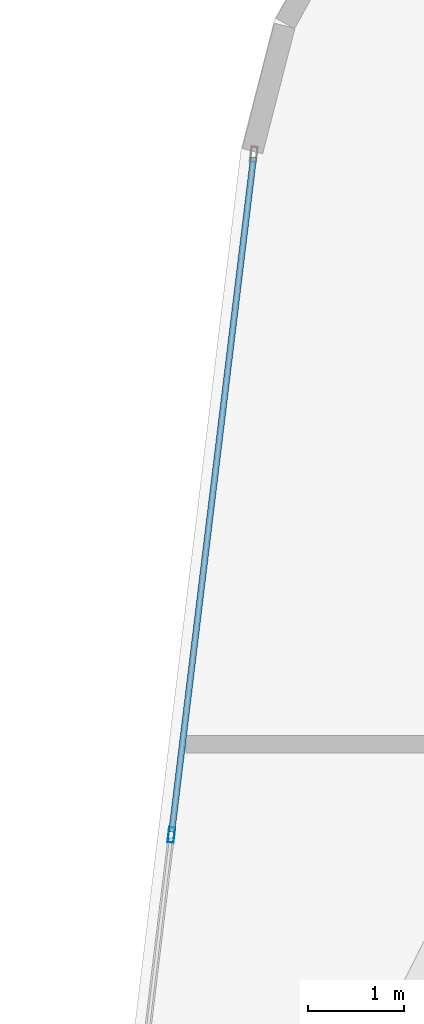
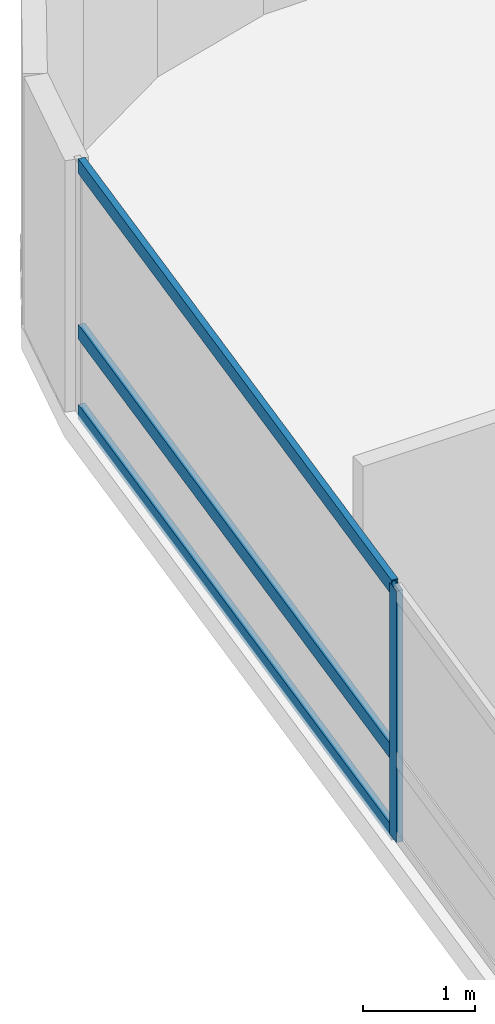
# One storey, part 10 of 26: 4 members, 1 element without a shape of its own.
"""IFC4 building model written with IfcOpenShell, lengths in metres."""

from ifc_helpers import new_model, si_unit, direction, frame, origin, origin_2d, place, context, subcontext, project, spatial, hollow_rectangle, extrude, material, layer, layer_set, material_profile, profile_set, type_object, element, aggregate, save


model = new_model("IFC4")

# Units and contexts
model_context = context("Model", 3, precision=1e-05, world=origin(), true_north=direction((0.0, 1.0)))
body_context = subcontext(model_context, "Body", "Model", "MODEL_VIEW")
ifc_project = project(units=[si_unit("LENGTHUNIT", "METRE"), si_unit("AREAUNIT", "SQUARE_METRE"), si_unit("VOLUMEUNIT", "CUBIC_METRE"), si_unit("PLANEANGLEUNIT", "RADIAN"), si_unit("MASSUNIT", "GRAM", prefix="KILO")], contexts=[model_context])

# Site, building, storey
site_placement = place(None, origin())
site = spatial("IfcSite", under=ifc_project, at=site_placement, CompositionType="ELEMENT")
building_placement = place(site_placement, origin())
building = spatial("IfcBuilding", under=site, at=building_placement, Name="Varnelok Gate Tower", CompositionType="ELEMENT")
storey_placement = place(building_placement, frame((0.0, 0.0, 121.699951171875)))
storey = spatial("IfcBuildingStorey", under=building, at=storey_placement, Name="L30", CompositionType="ELEMENT", Elevation=121.699951171875)

# Curtain wall, members
ifc_material = material(Name="Anodized Aluminum Alloy 6063-T6", Category="aluminium")
ifc_layer = layer(ifc_material, 0.179931640625)
ifc_layer_set = layer_set([ifc_layer], Name="Anodized Aluminum Alloy 6063-T6")
curtain_wall_type = type_object("IfcCurtainWallType", Name="CW3-HOTEL-VISION", PredefinedType="USERDEFINED", material=ifc_layer_set)
curtain_wall_placement = place(storey_placement, origin())
curtain_wall = element("IfcCurtainWall", 1, at=curtain_wall_placement, inside=storey, type_object=curtain_wall_type, Name="L30 West End Vision Curtain Wall", ObjectType="UNITISED CURTAIN WALL", PredefinedType="USERDEFINED")
ifc_material_profile_1 = material_profile(ifc_material, hollow_rectangle(XDim=0.06494140625, YDim=0.159912109375, WallThickness=0.00390625, at=origin_2d()), Name="ALU160X65X4")
ifc_profile_set_1 = profile_set([ifc_material_profile_1], Name="Anodized Aluminum Alloy 6063-T6")
member_type_1 = type_object("IfcMemberType", Name="CW-MULL-160", PredefinedType="MULLION", material=ifc_profile_set_1)
member_1_placement = place(storey_placement, frame((3.708984375, 40.4814453125, 0.0), z_axis=(0.0, 0.0, 1.0), x_axis=(-0.99273188146, 0.120347046212, 0.0)))
member_1 = element("IfcMember", 2, at=member_1_placement, type_object=member_type_1, Name="CW3 mullion 5", PredefinedType="MULLION", context=body_context, shape_type="SweptSolid", body=[
    extrude(hollow_rectangle(XDim=0.06494140625, YDim=0.159912109375, WallThickness=0.00390625, at=origin_2d()), origin(), (0.0, 0.0, 1.0), 2.72998046875),
])
ifc_material_profile_2 = material_profile(ifc_material, hollow_rectangle(XDim=0.06494140625, YDim=0.159912109375, WallThickness=0.00390625, at=origin_2d()), Name="ALU160X65X4")
ifc_profile_set_2 = profile_set([ifc_material_profile_2], Name="Anodized Aluminum Alloy 6063-T6")
member_type_2 = type_object("IfcMemberType", Name="CW-TRAN-160", PredefinedType="USERDEFINED", material=ifc_profile_set_2)
member_2_placement = place(storey_placement, frame((3.712890625, 40.513671875, 0.032470703125), z_axis=(0.120374481497, 0.992728555147, 0.0), x_axis=(-0.992728555147, 0.120374481497, 0.0)))
member_2 = element("IfcMember", 3, at=member_2_placement, type_object=member_type_2, Name="CW3 transom 5.1", ObjectType="TRANSOM", PredefinedType="USERDEFINED", context=body_context, shape_type="SweptSolid", body=[
    extrude(hollow_rectangle(XDim=0.06494140625, YDim=0.159912109375, WallThickness=0.00390625, at=origin_2d()), origin(), (0.0, 0.0, 1.0), 7.102783203125),
])
member_3_placement = place(storey_placement, frame((3.712890625, 40.513671875, 0.900146484375), z_axis=(0.120374481497, 0.992728555147, 0.0), x_axis=(-0.992728555147, 0.120374481497, 0.0)))
member_3 = element("IfcMember", 4, at=member_3_placement, type_object=member_type_2, Name="CW3 transom 5.2", ObjectType="TRANSOM", PredefinedType="USERDEFINED", context=body_context, shape_type="SweptSolid", body=[
    extrude(hollow_rectangle(XDim=0.06494140625, YDim=0.159912109375, WallThickness=0.00390625, at=origin_2d()), origin(), (0.0, 0.0, 1.0), 7.102783203125),
])
member_4_placement = place(storey_placement, frame((3.712890625, 40.513671875, 2.697509765625), z_axis=(0.120374481497, 0.992728555147, 0.0), x_axis=(-0.992728555147, 0.120374481497, 0.0)))
member_4 = element("IfcMember", 5, at=member_4_placement, type_object=member_type_2, Name="CW3 transom 5.3", ObjectType="TRANSOM", PredefinedType="USERDEFINED", context=body_context, shape_type="SweptSolid", body=[
    extrude(hollow_rectangle(XDim=0.06494140625, YDim=0.159912109375, WallThickness=0.00390625, at=origin_2d()), origin(), (0.0, 0.0, 1.0), 7.102783203125),
])
aggregate(curtain_wall, [member_1, member_2, member_3, member_4])

save(model, "model.ifc")
